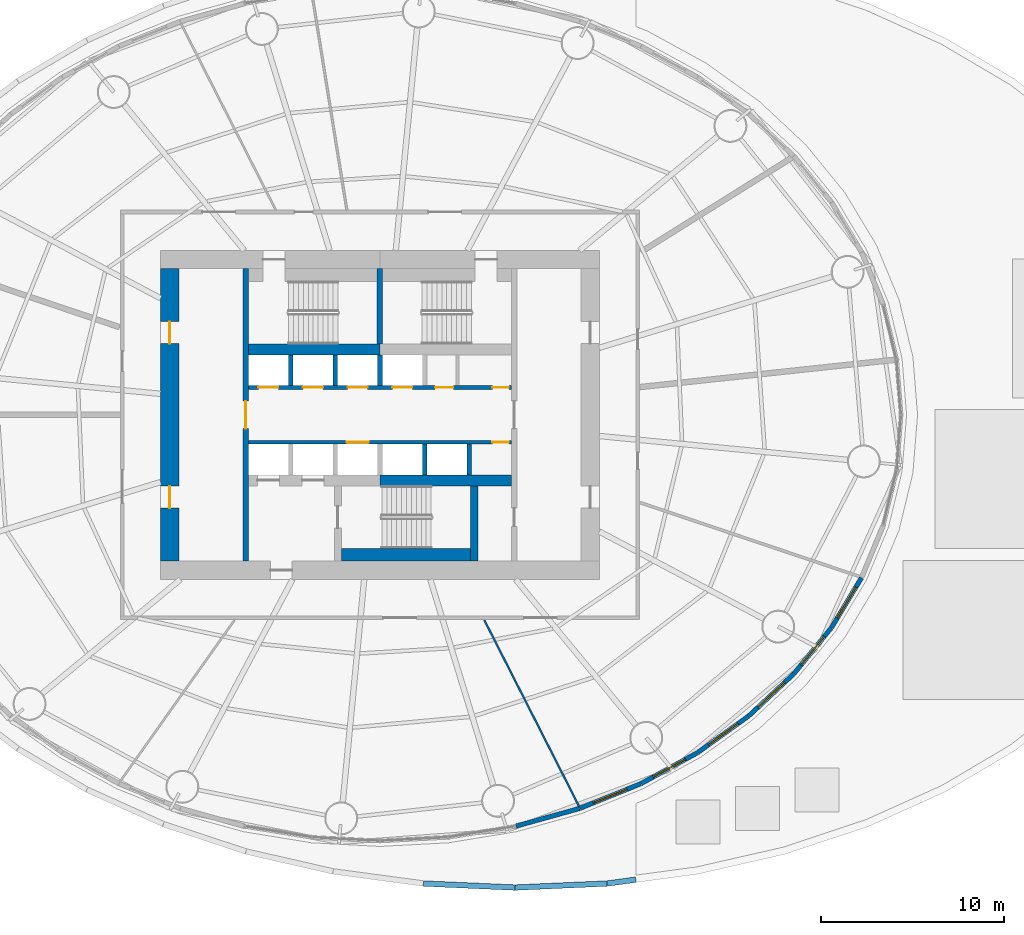
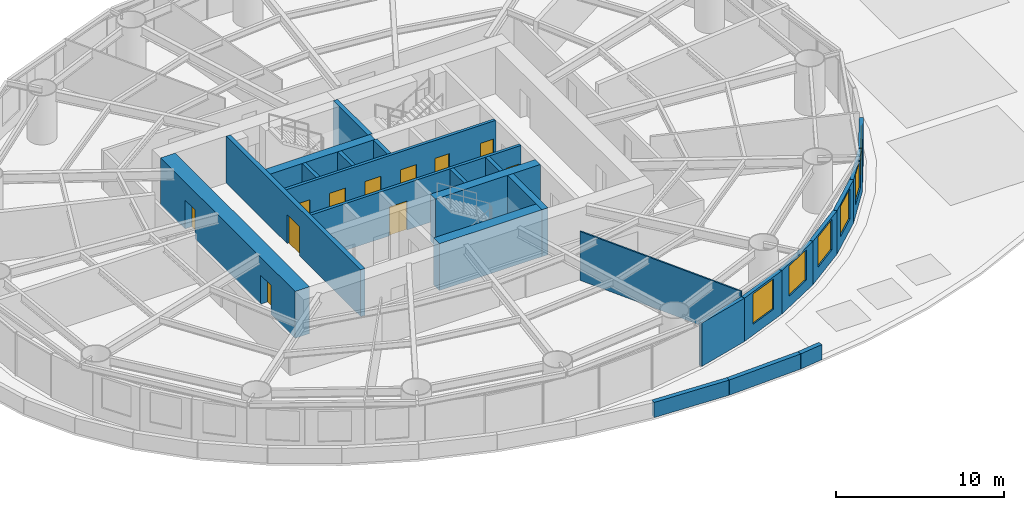
# One storey, part 8 of 11: 25 walls, 11 doors, 6 windows, 17 openings.
"""IFC4 building model written with IfcOpenShell, lengths in metres."""

from ifc_helpers import new_model, si_unit, direction, frame, frame_2d, origin, place, context, subcontext, project, spatial, rectangle, extrude, material, layer, layer_set, type_object, element, fill, save


model = new_model("IFC4")

# Units and contexts
model_context = context("Model", 3, precision=1e-05, world=origin(), true_north=direction((0.0, 1.0)))
body_context = subcontext(model_context, "Body", "Model", "MODEL_VIEW")
ifc_project = project(units=[si_unit("LENGTHUNIT", "METRE"), si_unit("AREAUNIT", "SQUARE_METRE"), si_unit("VOLUMEUNIT", "CUBIC_METRE"), si_unit("PLANEANGLEUNIT", "RADIAN"), si_unit("MASSUNIT", "GRAM", prefix="KILO")], contexts=[model_context])

# Site, building, storey
site_placement = place(None, origin())
site = spatial("IfcSite", under=ifc_project, at=site_placement, CompositionType="ELEMENT")
building_placement = place(site_placement, origin())
building = spatial("IfcBuilding", under=site, at=building_placement, Name="Vermilion Reach Broadcast Tower", CompositionType="ELEMENT")
storey_placement = place(building_placement, frame((0.0, 0.0, 36.0)))
storey = spatial("IfcBuildingStorey", under=building, at=storey_placement, Name="L05", CompositionType="ELEMENT", Elevation=36.0)

# Wall, opening, door
ifc_material_1 = material(Name="Concrete C70", Category="concrete")
ifc_layer_1 = layer(ifc_material_1, 0.300048828125)
ifc_layer_set_1 = layer_set([ifc_layer_1], Name="Core inner wall 300 mm Concrete C70")
wall_type_1 = type_object("IfcWallType", Name="Core inner wall 300 mm Concrete C70", PredefinedType="SHEAR", material=ifc_layer_set_1)
wall_1_placement = place(storey_placement, frame((-13.35009765625, 8.0, 0.0), z_axis=(0.0, 0.0, 1.0), x_axis=(0.0, -1.0, 0.0)))
wall_1 = element("IfcWall", 1, at=wall_1_placement, inside=storey, type_object=wall_type_1, Name="L05 core wall ewW", PredefinedType="SHEAR", context=body_context, shape_type="SweptSolid", body=[
    extrude(rectangle(XDim=16.0, YDim=0.300048828125, at=frame_2d((8.0, 0.0))), origin(), (0.0, 0.0, 1.0), 3.39990234375),
])
opening_1_placement = place(wall_1_placement, frame((7.25, 0.0, 0.0)))
opening_1 = element("IfcOpeningElement", 2, at=opening_1_placement, cuts=wall_1, Name="Opening D04", PredefinedType="OPENING", context=body_context, shape_type="SweptSolid", body=[
    extrude(rectangle(XDim=1.5, YDim=2.10009765625, at=frame_2d((0.75, 1.050048828125))), frame((0.0, 0.159912109375, 0.0), z_axis=(0.0, -1.0, 0.0), x_axis=(1.0, 0.0, 0.0)), (0.0, 0.0, 1.0), 0.320068359375),
])
ifc_material_2 = material(Name="Painted steel fire door", Category="steel")
door_type_1 = type_object("IfcDoorType", Name="Lift lobby door 1500 x 2100", OperationType="DOUBLE_DOOR_SINGLE_SWING", PredefinedType="NOTDEFINED", material=ifc_material_2)
door_1_placement = place(opening_1_placement, origin())
door_1 = element("IfcDoor", 3, at=door_1_placement, inside=storey, type_object=door_type_1, Name="L05 band door BW", OperationType="DOUBLE_DOOR_SINGLE_SWING", OverallHeight=2.10009765625, OverallWidth=1.5, PredefinedType="NOTDEFINED", context=body_context, shape_type="SweptSolid", body=[
    extrude(rectangle(XDim=1.5, YDim=2.10009765625, at=frame_2d((0.75, 1.050048828125))), frame((0.0, 0.02490234375, 0.0), z_axis=(0.0, -1.0, 0.0), x_axis=(1.0, 0.0, 0.0)), (0.0, 0.0, 1.0), 0.050048828125),
])
fill(opening_1, door_1)

# Walls
wall_2_placement = place(storey_placement, frame((-6.0, 3.8798828125, 0.0), z_axis=(0.0, 0.0, 1.0), x_axis=(0.0, 1.0, 0.0)))
element("IfcWall", 4, at=wall_2_placement, inside=storey, type_object=wall_type_1, Name="L05 core wall wc", PredefinedType="SHEAR", context=body_context, shape_type="SweptSolid", body=[
    extrude(rectangle(XDim=4.1201171875, YDim=0.300048828125, at=frame_2d((2.06005859375, 0.0))), origin(), (0.0, 0.0, 1.0), 3.39990234375),
])
ifc_material_3 = material(Name="Concrete C70", Category="concrete")
ifc_layer_2 = layer(ifc_material_3, 0.39990234375)
ifc_layer_set_2 = layer_set([ifc_layer_2], Name="Core inner wall 400 mm Concrete C70")
wall_type_2 = type_object("IfcWallType", Name="Core inner wall 400 mm Concrete C70", PredefinedType="SHEAR", material=ifc_layer_set_2)
wall_3_placement = place(storey_placement, frame((-0.85009765625, -3.8798828125, 0.0), z_axis=(0.0, 0.0, 1.0), x_axis=(0.0, -1.0, 0.0)))
element("IfcWall", 5, at=wall_3_placement, inside=storey, type_object=wall_type_2, Name="L05 core wall wb", PredefinedType="SHEAR", context=body_context, shape_type="SweptSolid", body=[
    extrude(rectangle(XDim=4.1201171875, YDim=0.39990234375, at=frame_2d((2.06005859375, 0.0))), origin(), (0.0, 0.0, 1.0), 3.39990234375),
])
ifc_material_4 = material(Name="Concrete C70", Category="concrete")
ifc_layer_3 = layer(ifc_material_4, 0.60009765625)
ifc_layer_set_3 = layer_set([ifc_layer_3], Name="Core inner wall 600 mm Concrete C70")
wall_type_3 = type_object("IfcWallType", Name="Core inner wall 600 mm Concrete C70", PredefinedType="SHEAR", material=ifc_layer_set_3)
for number, where, z_axis, x_axis, name in (
    (6, (-13.199951171875, 3.580078125, 0.0), (0.0, 0.0, 1.0), (1.0, 0.0, 0.0), "L05 core wall winW"),
    (7, (-6.0, -3.580078125, 0.0), (0.0, 0.0, 1.0), (1.0, 0.0, 0.0), "L05 core wall wisE"),
):
    element("IfcWall", number, at=place(storey_placement, frame(where, z_axis=z_axis, x_axis=x_axis)), inside=storey, type_object=wall_type_3, Name=name, PredefinedType="SHEAR", context=body_context, shape_type="SweptSolid", body=[
        extrude(rectangle(XDim=7.199951171875, YDim=0.60009765625, at=frame_2d((3.60009765625, 0.0))), origin(), (0.0, 0.0, 1.0), 3.39990234375),
    ])

# Wall, openings, doors
ifc_material_5 = material(Name="Concrete C70", Category="concrete")
ifc_layer_4 = layer(ifc_material_5, 1.0)
ifc_layer_set_4 = layer_set([ifc_layer_4], Name="Core outer wall 1000 mm Concrete C70")
wall_type_4 = type_object("IfcWallType", Name="Core outer wall 1000 mm Concrete C70", PredefinedType="SHEAR", material=ifc_layer_set_4)
wall_4_placement = place(storey_placement, frame((-17.5, 8.0, 0.0), z_axis=(0.0, 0.0, 1.0), x_axis=(0.0, -1.0, 0.0)))
wall_4 = element("IfcWall", 8, at=wall_4_placement, inside=storey, type_object=wall_type_4, Name="L05 core wall ow", PredefinedType="SHEAR", context=body_context, shape_type="SweptSolid", body=[
    extrude(rectangle(XDim=16.0, YDim=1.0, at=frame_2d((8.0, 0.0))), origin(), (0.0, 0.0, 1.0), 3.39990234375),
])
opening_2_placement = place(wall_4_placement, frame((11.89990234375, 0.0, 0.0)))
opening_2 = element("IfcOpeningElement", 9, at=opening_2_placement, cuts=wall_4, Name="Opening D03", PredefinedType="OPENING", context=body_context, shape_type="SweptSolid", body=[
    extrude(rectangle(XDim=1.199951171875, YDim=2.10009765625, at=frame_2d((0.60009765625, 1.050048828125))), frame((0.0, 0.510009765625, 0.0), z_axis=(0.0, -1.0, 0.0), x_axis=(1.0, 0.0, 0.0)), (0.0, 0.0, 1.0), 1.02001953125),
])
opening_3_placement = place(wall_4_placement, frame((2.89990234375, 0.0, 0.0)))
opening_3 = element("IfcOpeningElement", 10, at=opening_3_placement, cuts=wall_4, Name="Opening D03", PredefinedType="OPENING", context=body_context, shape_type="SweptSolid", body=[
    extrude(rectangle(XDim=1.199951171875, YDim=2.10009765625, at=frame_2d((0.60009765625, 1.050048828125))), frame((0.0, 0.510009765625, 0.0), z_axis=(0.0, -1.0, 0.0), x_axis=(1.0, 0.0, 0.0)), (0.0, 0.0, 1.0), 1.02001953125),
])
ifc_material_6 = material(Name="Painted steel fire door", Category="steel")
door_type_2 = type_object("IfcDoorType", Name="Core lobby door 1200 x 2100", OperationType="DOUBLE_DOOR_SINGLE_SWING", PredefinedType="NOTDEFINED", material=ifc_material_6)
door_2_placement = place(opening_2_placement, origin())
door_2 = element("IfcDoor", 11, at=door_2_placement, inside=storey, type_object=door_type_2, Name="L05 slot door W0", OperationType="DOUBLE_DOOR_SINGLE_SWING", OverallHeight=2.10009765625, OverallWidth=1.199951171875, PredefinedType="NOTDEFINED", context=body_context, shape_type="SweptSolid", body=[
    extrude(rectangle(XDim=1.199951171875, YDim=2.10009765625, at=frame_2d((0.60009765625, 1.050048828125))), frame((0.0, 0.02490234375, 0.0), z_axis=(0.0, -1.0, 0.0), x_axis=(1.0, 0.0, 0.0)), (0.0, 0.0, 1.0), 0.050048828125),
])
fill(opening_2, door_2)
door_3_placement = place(opening_3_placement, origin())
door_3 = element("IfcDoor", 12, at=door_3_placement, inside=storey, type_object=door_type_2, Name="L05 slot door W1", OperationType="DOUBLE_DOOR_SINGLE_SWING", OverallHeight=2.10009765625, OverallWidth=1.199951171875, PredefinedType="NOTDEFINED", context=body_context, shape_type="SweptSolid", body=[
    extrude(rectangle(XDim=1.199951171875, YDim=2.10009765625, at=frame_2d((0.60009765625, 1.050048828125))), frame((0.0, 0.02490234375, 0.0), z_axis=(0.0, -1.0, 0.0), x_axis=(1.0, 0.0, 0.0)), (0.0, 0.0, 1.0), 0.050048828125),
])
fill(opening_3, door_3)

ifc_material_7 = material(Name="Concrete C50", Category="concrete")
ifc_layer_5 = layer(ifc_material_7, 0.199951171875)
ifc_layer_set_5 = layer_set([ifc_layer_5], Name="Core shaft wall 200 mm Concrete C50")
wall_type_5 = type_object("IfcWallType", Name="Core shaft wall 200 mm Concrete C50", PredefinedType="SHEAR", material=ifc_layer_set_5)
wall_5_placement = place(storey_placement, frame((-13.199951171875, 1.5, 0.0), z_axis=(0.0, 0.0, 1.0), x_axis=(1.0, 0.0, 0.0)))
wall_5 = element("IfcWall", 13, at=wall_5_placement, inside=storey, type_object=wall_type_5, Name="L05 core wall fn", PredefinedType="SHEAR", context=body_context, shape_type="SweptSolid", body=[
    extrude(rectangle(XDim=14.39990234375, YDim=0.199951171875, at=frame_2d((7.199951171875, 0.0))), origin(), (0.0, 0.0, 1.0), 3.39990234375),
])
opening_4_placement = place(wall_5_placement, frame((0.5458984375, 0.0, 0.0)))
opening_4 = element("IfcOpeningElement", 14, at=opening_4_placement, cuts=wall_5, Name="Opening LD2", PredefinedType="OPENING", context=body_context, shape_type="SweptSolid", body=[
    extrude(rectangle(XDim=1.10009765625, YDim=2.10009765625, at=frame_2d((0.550048828125, 1.050048828125))), frame((0.0, 0.10986328125, 0.0), z_axis=(0.0, -1.0, 0.0), x_axis=(1.0, 0.0, 0.0)), (0.0, 0.0, 1.0), 0.219970703125),
])
opening_5_placement = place(wall_5_placement, frame((2.987548828125, 0.0, 0.0)))
opening_5 = element("IfcOpeningElement", 15, at=opening_5_placement, cuts=wall_5, Name="Opening LD2", PredefinedType="OPENING", context=body_context, shape_type="SweptSolid", body=[
    extrude(rectangle(XDim=1.10009765625, YDim=2.10009765625, at=frame_2d((0.550048828125, 1.050048828125))), frame((0.0, 0.10986328125, 0.0), z_axis=(0.0, -1.0, 0.0), x_axis=(1.0, 0.0, 0.0)), (0.0, 0.0, 1.0), 0.219970703125),
])
opening_6_placement = place(wall_5_placement, frame((5.42919921875, 0.0, 0.0)))
opening_6 = element("IfcOpeningElement", 16, at=opening_6_placement, cuts=wall_5, Name="Opening LD2", PredefinedType="OPENING", context=body_context, shape_type="SweptSolid", body=[
    extrude(rectangle(XDim=1.10009765625, YDim=2.10009765625, at=frame_2d((0.550048828125, 1.050048828125))), frame((0.0, 0.10986328125, 0.0), z_axis=(0.0, -1.0, 0.0), x_axis=(1.0, 0.0, 0.0)), (0.0, 0.0, 1.0), 0.219970703125),
])
opening_7_placement = place(wall_5_placement, frame((7.870849609375, 0.0, 0.0)))
opening_7 = element("IfcOpeningElement", 17, at=opening_7_placement, cuts=wall_5, Name="Opening LD2", PredefinedType="OPENING", context=body_context, shape_type="SweptSolid", body=[
    extrude(rectangle(XDim=1.10009765625, YDim=2.10009765625, at=frame_2d((0.550048828125, 1.050048828125))), frame((0.0, 0.10986328125, 0.0), z_axis=(0.0, -1.0, 0.0), x_axis=(1.0, 0.0, 0.0)), (0.0, 0.0, 1.0), 0.219970703125),
])
opening_8_placement = place(wall_5_placement, frame((10.209716796875, 0.0, 0.0)))
opening_8 = element("IfcOpeningElement", 18, at=opening_8_placement, cuts=wall_5, Name="Opening D07", PredefinedType="OPENING", context=body_context, shape_type="SweptSolid", body=[
    extrude(rectangle(XDim=1.0, YDim=2.10009765625, at=frame_2d((0.5, 1.050048828125))), frame((0.0, 0.10986328125, 0.0), z_axis=(0.0, -1.0, 0.0), x_axis=(1.0, 0.0, 0.0)), (0.0, 0.0, 1.0), 0.219970703125),
])
opening_9_placement = place(wall_5_placement, frame((13.35009765625, 0.0, 0.0)))
opening_9 = element("IfcOpeningElement", 19, at=opening_9_placement, cuts=wall_5, Name="Opening D06", PredefinedType="OPENING", context=body_context, shape_type="SweptSolid", body=[
    extrude(rectangle(XDim=0.89990234375, YDim=2.10009765625, at=frame_2d((0.449951171875, 1.050048828125))), frame((0.0, 0.10986328125, 0.0), z_axis=(0.0, -1.0, 0.0), x_axis=(1.0, 0.0, 0.0)), (0.0, 0.0, 1.0), 0.219970703125),
])
ifc_material_8 = material(Name="Timber door", Category="wood")
door_type_3 = type_object("IfcDoorType", Name="Accessible WC door 1000 x 2100", OperationType="NOTDEFINED", PredefinedType="NOTDEFINED", material=ifc_material_8)
door_4_placement = place(opening_8_placement, origin())
door_4 = element("IfcDoor", 20, at=door_4_placement, inside=storey, type_object=door_type_3, Name="L05 door Accessible WC", OperationType="SINGLE_SWING_RIGHT", OverallHeight=2.10009765625, OverallWidth=1.0, PredefinedType="NOTDEFINED", context=body_context, shape_type="SweptSolid", body=[
    extrude(rectangle(XDim=1.0, YDim=2.10009765625, at=frame_2d((0.5, 1.050048828125))), frame((0.0, 0.02490234375, 0.0), z_axis=(0.0, -1.0, 0.0), x_axis=(1.0, 0.0, 0.0)), (0.0, 0.0, 1.0), 0.050048828125),
])
fill(opening_8, door_4)
ifc_material_9 = material(Name="Stainless steel", Category="steel")
door_type_4 = type_object("IfcDoorType", Name="Landing door 1100 x 2100", OperationType="DOUBLE_DOOR_SLIDING", PredefinedType="NOTDEFINED", material=ifc_material_9)
door_5_placement = place(opening_4_placement, origin())
door_5 = element("IfcDoor", 21, at=door_5_placement, inside=storey, type_object=door_type_4, Name="L05 landing door LR1", OperationType="DOUBLE_DOOR_SLIDING", OverallHeight=2.10009765625, OverallWidth=1.10009765625, PredefinedType="NOTDEFINED", context=body_context, shape_type="SweptSolid", body=[
    extrude(rectangle(XDim=1.10009765625, YDim=2.10009765625, at=frame_2d((0.550048828125, 1.050048828125))), frame((0.0, 0.02490234375, 0.0), z_axis=(0.0, -1.0, 0.0), x_axis=(1.0, 0.0, 0.0)), (0.0, 0.0, 1.0), 0.050048828125),
])
fill(opening_4, door_5)
door_6_placement = place(opening_5_placement, origin())
door_6 = element("IfcDoor", 22, at=door_6_placement, inside=storey, type_object=door_type_4, Name="L05 landing door LR2", OperationType="DOUBLE_DOOR_SLIDING", OverallHeight=2.10009765625, OverallWidth=1.10009765625, PredefinedType="NOTDEFINED", context=body_context, shape_type="SweptSolid", body=[
    extrude(rectangle(XDim=1.10009765625, YDim=2.10009765625, at=frame_2d((0.550048828125, 1.050048828125))), frame((0.0, 0.02490234375, 0.0), z_axis=(0.0, -1.0, 0.0), x_axis=(1.0, 0.0, 0.0)), (0.0, 0.0, 1.0), 0.050048828125),
])
fill(opening_5, door_6)
door_7_placement = place(opening_6_placement, origin())
door_7 = element("IfcDoor", 23, at=door_7_placement, inside=storey, type_object=door_type_4, Name="L05 landing door LR3", OperationType="DOUBLE_DOOR_SLIDING", OverallHeight=2.10009765625, OverallWidth=1.10009765625, PredefinedType="NOTDEFINED", context=body_context, shape_type="SweptSolid", body=[
    extrude(rectangle(XDim=1.10009765625, YDim=2.10009765625, at=frame_2d((0.550048828125, 1.050048828125))), frame((0.0, 0.02490234375, 0.0), z_axis=(0.0, -1.0, 0.0), x_axis=(1.0, 0.0, 0.0)), (0.0, 0.0, 1.0), 0.050048828125),
])
fill(opening_6, door_7)
door_8_placement = place(opening_7_placement, origin())
door_8 = element("IfcDoor", 24, at=door_8_placement, inside=storey, type_object=door_type_4, Name="L05 landing door LR4", OperationType="DOUBLE_DOOR_SLIDING", OverallHeight=2.10009765625, OverallWidth=1.10009765625, PredefinedType="NOTDEFINED", context=body_context, shape_type="SweptSolid", body=[
    extrude(rectangle(XDim=1.10009765625, YDim=2.10009765625, at=frame_2d((0.550048828125, 1.050048828125))), frame((0.0, 0.02490234375, 0.0), z_axis=(0.0, -1.0, 0.0), x_axis=(1.0, 0.0, 0.0)), (0.0, 0.0, 1.0), 0.050048828125),
])
fill(opening_7, door_8)
ifc_material_10 = material(Name="Timber door", Category="wood")
door_type_5 = type_object("IfcDoorType", Name="WC door 900 x 2100", OperationType="NOTDEFINED", PredefinedType="NOTDEFINED", material=ifc_material_10)
door_9_placement = place(opening_9_placement, origin())
door_9 = element("IfcDoor", 25, at=door_9_placement, inside=storey, type_object=door_type_5, Name="L05 door Female WC", OperationType="SINGLE_SWING_RIGHT", OverallHeight=2.10009765625, OverallWidth=0.89990234375, PredefinedType="NOTDEFINED", context=body_context, shape_type="SweptSolid", body=[
    extrude(rectangle(XDim=0.89990234375, YDim=2.10009765625, at=frame_2d((0.449951171875, 1.050048828125))), frame((0.0, 0.02490234375, 0.0), z_axis=(0.0, -1.0, 0.0), x_axis=(1.0, 0.0, 0.0)), (0.0, 0.0, 1.0), 0.050048828125),
])
fill(opening_9, door_9)

wall_6_placement = place(storey_placement, frame((1.199951171875, -1.5, 0.0), z_axis=(0.0, 0.0, 1.0), x_axis=(-1.0, 0.0, 0.0)))
wall_6 = element("IfcWall", 26, at=wall_6_placement, inside=storey, type_object=wall_type_5, Name="L05 core wall fs", PredefinedType="SHEAR", context=body_context, shape_type="SweptSolid", body=[
    extrude(rectangle(XDim=14.39990234375, YDim=0.199951171875, at=frame_2d((7.199951171875, 0.0))), origin(), (0.0, 0.0, 1.0), 3.39990234375),
])
opening_10_placement = place(wall_6_placement, frame((7.82080078125, 0.0, 0.0)))
opening_10 = element("IfcOpeningElement", 27, at=opening_10_placement, cuts=wall_6, Name="Opening LD1", PredefinedType="OPENING", context=body_context, shape_type="SweptSolid", body=[
    extrude(rectangle(XDim=1.199951171875, YDim=2.10009765625, at=frame_2d((0.60009765625, 1.050048828125))), frame((0.0, 0.10986328125, 0.0), z_axis=(0.0, -1.0, 0.0), x_axis=(1.0, 0.0, 0.0)), (0.0, 0.0, 1.0), 0.219970703125),
])
opening_11_placement = place(wall_6_placement, frame((0.14990234375, 0.0, 0.0)))
opening_11 = element("IfcOpeningElement", 28, at=opening_11_placement, cuts=wall_6, Name="Opening D06", PredefinedType="OPENING", context=body_context, shape_type="SweptSolid", body=[
    extrude(rectangle(XDim=0.89990234375, YDim=2.10009765625, at=frame_2d((0.449951171875, 1.050048828125))), frame((0.0, 0.10986328125, 0.0), z_axis=(0.0, -1.0, 0.0), x_axis=(1.0, 0.0, 0.0)), (0.0, 0.0, 1.0), 0.219970703125),
])
ifc_material_11 = material(Name="Stainless steel", Category="steel")
door_type_6 = type_object("IfcDoorType", Name="Landing door 1200 x 2100", OperationType="DOUBLE_DOOR_SLIDING", PredefinedType="NOTDEFINED", material=ifc_material_11)
door_10_placement = place(opening_10_placement, origin())
door_10 = element("IfcDoor", 29, at=door_10_placement, inside=storey, type_object=door_type_6, Name="L05 landing door SV1", OperationType="DOUBLE_DOOR_SLIDING", OverallHeight=2.10009765625, OverallWidth=1.199951171875, PredefinedType="NOTDEFINED", context=body_context, shape_type="SweptSolid", body=[
    extrude(rectangle(XDim=1.199951171875, YDim=2.10009765625, at=frame_2d((0.60009765625, 1.050048828125))), frame((0.0, 0.02490234375, 0.0), z_axis=(0.0, -1.0, 0.0), x_axis=(1.0, 0.0, 0.0)), (0.0, 0.0, 1.0), 0.050048828125),
])
fill(opening_10, door_10)
door_11_placement = place(opening_11_placement, origin())
door_11 = element("IfcDoor", 30, at=door_11_placement, inside=storey, type_object=door_type_5, Name="L05 door Male WC", OperationType="SINGLE_SWING_LEFT", OverallHeight=2.10009765625, OverallWidth=0.89990234375, PredefinedType="NOTDEFINED", context=body_context, shape_type="SweptSolid", body=[
    extrude(rectangle(XDim=0.89990234375, YDim=2.10009765625, at=frame_2d((0.449951171875, 1.050048828125))), frame((0.0, 0.02490234375, 0.0), z_axis=(0.0, -1.0, 0.0), x_axis=(1.0, 0.0, 0.0)), (0.0, 0.0, 1.0), 0.050048828125),
])
fill(opening_11, door_11)

# Walls
ifc_material_12 = material(Name="Concrete C50", Category="concrete")
ifc_layer_6 = layer(ifc_material_12, 0.25)
ifc_layer_set_6 = layer_set([ifc_layer_6], Name="Core shaft wall 250 mm Concrete C50")
wall_type_6 = type_object("IfcWallType", Name="Core shaft wall 250 mm Concrete C50", PredefinedType="SHEAR", material=ifc_layer_set_6)
for number, where, z_axis, x_axis, name in (
    (31, (-10.88330078125, 1.60009765625, 0.0), (0.0, 0.0, 1.0), (0.0, 1.0, 0.0), "L05 core wall psN0"),
    (32, (-8.441650390625, 1.60009765625, 0.0), (0.0, 0.0, 1.0), (0.0, 1.0, 0.0), "L05 core wall psN1"),
    (33, (-6.0, 1.60009765625, 0.0), (0.0, 0.0, 1.0), (0.0, 1.0, 0.0), "L05 core wall psN2"),
    (34, (-3.558349609375, -1.60009765625, 0.0), (0.0, 0.0, 1.0), (0.0, -1.0, 0.0), "L05 core wall psS3"),
    (35, (-1.11669921875, -1.60009765625, 0.0), (0.0, 0.0, 1.0), (0.0, -1.0, 0.0), "L05 core wall psS4"),
):
    element("IfcWall", number, at=place(storey_placement, frame(where, z_axis=z_axis, x_axis=x_axis)), inside=storey, type_object=wall_type_6, Name=name, PredefinedType="SHEAR", context=body_context, shape_type="SweptSolid", body=[
        extrude(rectangle(XDim=1.679931640625, YDim=0.25, at=frame_2d((0.83984375, 0.0))), origin(), (0.0, 0.0, 1.0), 3.39990234375),
    ])
ifc_material_13 = material(Name="Concrete C70", Category="concrete")
ifc_layer_7 = layer(ifc_material_13, 0.699951171875)
ifc_layer_set_7 = layer_set([ifc_layer_7], Name="Core stair wall 700 mm Concrete C70")
wall_type_7 = type_object("IfcWallType", Name="Core stair wall 700 mm Concrete C70", PredefinedType="SHEAR", material=ifc_layer_set_7)
wall_7_placement = place(storey_placement, frame((-8.10009765625, -7.64990234375, 0.0), z_axis=(0.0, 0.0, 1.0), x_axis=(1.0, 0.0, 0.0)))
element("IfcWall", 36, at=wall_7_placement, inside=storey, type_object=wall_type_7, Name="L05 core wall l3", PredefinedType="SHEAR", context=body_context, shape_type="SweptSolid", body=[
    extrude(rectangle(XDim=7.050048828125, YDim=0.699951171875, at=frame_2d((3.52490234375, 0.0))), origin(), (0.0, 0.0, 1.0), 3.39990234375),
])
ifc_material_14 = material(Name="Plasterboard on steel stud", Category="steel")
ifc_layer_8 = layer(ifc_material_14, 0.10009765625)
ifc_layer_set_8 = layer_set([ifc_layer_8], Name="Partition 100 steel stud")
wall_type_8 = type_object("IfcWallType", Name="Partition 100 steel stud", PredefinedType="PARTITIONING", material=ifc_layer_set_8)
wall_8_placement = place(storey_placement, frame((4.884765625, -21.401123046875, 0.0), z_axis=(0.0, 0.0, 1.0), x_axis=(-0.453334779339, 0.89134032661, 0.0)))
element("IfcWall", 37, at=wall_8_placement, inside=storey, type_object=wall_type_8, Name="Partition 5.08", PredefinedType="PARTITIONING", context=body_context, shape_type="SweptSolid", body=[
    extrude(rectangle(XDim=11.419189453125, YDim=0.10009765625, at=frame_2d((5.70947265625, 0.0))), origin(), (0.0, 0.0, 1.0), 3.550048828125),
])
ifc_material_15 = material(Name="Precast concrete C40/50", Category="concrete")
ifc_layer_9 = layer(ifc_material_15, 0.300048828125)
ifc_layer_set_9 = layer_set([ifc_layer_9], Name="Podium parapet 300")
wall_type_9 = type_object("IfcWallType", Name="Podium parapet 300", PredefinedType="PARAPET", material=ifc_layer_set_9)
for number, where, z_axis, x_axis, name in (
    (38, (-3.61865234375, -25.628662109375, 0.0), (0.0, 0.0, 1.0), (0.999027667676, -0.044087631121, 0.0), "Podium parapet 26"),
    (39, (1.406494140625, -25.849853515625, 0.0), (0.0, 0.0, 1.0), (0.999027667676, 0.044087631121, 0.0), "Podium parapet 27"),
):
    element("IfcWall", number, at=place(storey_placement, frame(where, z_axis=z_axis, x_axis=x_axis)), inside=storey, type_object=wall_type_9, Name=name, PredefinedType="PARAPET", context=body_context, shape_type="SweptSolid", body=[
        extrude(rectangle(XDim=5.01708984375, YDim=0.300048828125, at=frame_2d((2.508544921875, 0.0))), origin(), (0.0, 0.0, 1.0), 1.10009765625),
    ])
wall_9_placement = place(storey_placement, frame((6.431640625, -25.62744140625, 0.0), z_axis=(0.0, 0.0, 1.0), x_axis=(0.991147894546, 0.132762386, 0.0)))
element("IfcWall", 40, at=wall_9_placement, inside=storey, type_object=wall_type_9, Name="Podium parapet 28", PredefinedType="PARAPET", context=body_context, shape_type="SweptSolid", body=[
    extrude(rectangle(XDim=1.575927734375, YDim=0.300048828125, at=frame_2d((0.7880859375, 0.0))), origin(), (0.0, 0.0, 1.0), 1.10009765625),
])
ifc_material_16 = material(Name="Terracotta rainscreen cladding", Category="masonry")
ifc_layer_10 = layer(ifc_material_16, 0.25)
ifc_layer_set_10 = layer_set([ifc_layer_10], Name="Terracotta rainscreen wall 250")
wall_type_10 = type_object("IfcWallType", Name="Terracotta rainscreen wall 250", PredefinedType="SOLIDWALL", material=ifc_layer_set_10)
wall_10_placement = place(storey_placement, frame((1.442626953125, -22.488037109375, 0.0), z_axis=(0.0, 0.0, 1.0), x_axis=(0.963430499259, 0.267958342093, 0.0)))
element("IfcWall", 41, at=wall_10_placement, inside=storey, type_object=wall_type_10, Name="External wall L05 38", PredefinedType="SOLIDWALL", context=body_context, shape_type="SweptSolid", body=[
    extrude(rectangle(XDim=3.603515625, YDim=0.25, at=frame_2d((1.8017578125, 0.0))), origin(), (0.0, 0.0, 1.0), 3.14990234375),
])

# Wall, opening, window
wall_11_placement = place(storey_placement, frame((4.93505859375, -21.515380859375, 0.0), z_axis=(0.0, 0.0, 1.0), x_axis=(0.927147291409, 0.374697077694, 0.0)))
wall_11 = element("IfcWall", 42, at=wall_11_placement, inside=storey, type_object=wall_type_10, Name="External wall L05 39", PredefinedType="SOLIDWALL", context=body_context, shape_type="SweptSolid", body=[
    extrude(rectangle(XDim=3.587646484375, YDim=0.25, at=frame_2d((1.7939453125, 0.0))), origin(), (0.0, 0.0, 1.0), 3.14990234375),
])
opening_12_placement = place(wall_11_placement, frame((0.793701171875, 0.0, 0.800048828125)))
opening_12 = element("IfcOpeningElement", 43, at=opening_12_placement, cuts=wall_11, Name="Opening W01", PredefinedType="OPENING", context=body_context, shape_type="SweptSolid", body=[
    extrude(rectangle(XDim=2.0, YDim=2.199951171875, at=frame_2d((1.0, 1.10009765625))), frame((0.0, 0.135009765625, 0.0), z_axis=(0.0, -1.0, 0.0), x_axis=(1.0, 0.0, 0.0)), (0.0, 0.0, 1.0), 0.27001953125),
])
ifc_material_17 = material(Name="Low-e laminated clear glass in aluminium frame", Category="aluminium")
window_type = type_object("IfcWindowType", Name="Punched window 2000 x 2200 sill 800", PartitioningType="SINGLE_PANEL", PredefinedType="WINDOW", material=ifc_material_17)
window_1_placement = place(opening_12_placement, origin())
window_1 = element("IfcWindow", 44, at=window_1_placement, inside=storey, type_object=window_type, Name="Window L05 39", OverallHeight=2.199951171875, OverallWidth=2.0, PartitioningType="SINGLE_PANEL", PredefinedType="WINDOW", context=body_context, shape_type="SweptSolid", body=[
    extrude(rectangle(XDim=2.0, YDim=2.199951171875, at=frame_2d((1.0, 1.10009765625))), frame((0.0, 0.030029296875, 0.0), z_axis=(0.0, -1.0, 0.0), x_axis=(1.0, 0.0, 0.0)), (0.0, 0.0, 1.0), 0.06005859375),
])
fill(opening_12, window_1)

wall_12_placement = place(storey_placement, frame((8.28173828125, -20.16162109375, 0.0), z_axis=(0.0, 0.0, 1.0), x_axis=(0.8771213679, 0.480268785134, 0.0)))
wall_12 = element("IfcWall", 45, at=wall_12_placement, inside=storey, type_object=wall_type_10, Name="External wall L05 40", PredefinedType="SOLIDWALL", context=body_context, shape_type="SweptSolid", body=[
    extrude(rectangle(XDim=3.51220703125, YDim=0.25, at=frame_2d((1.756103515625, 0.0))), origin(), (0.0, 0.0, 1.0), 3.14990234375),
])
opening_13_placement = place(wall_12_placement, frame((0.756103515625, 0.0, 0.800048828125)))
opening_13 = element("IfcOpeningElement", 46, at=opening_13_placement, cuts=wall_12, Name="Opening W01", PredefinedType="OPENING", context=body_context, shape_type="SweptSolid", body=[
    extrude(rectangle(XDim=2.0, YDim=2.199951171875, at=frame_2d((1.0, 1.10009765625))), frame((0.0, 0.135009765625, 0.0), z_axis=(0.0, -1.0, 0.0), x_axis=(1.0, 0.0, 0.0)), (0.0, 0.0, 1.0), 0.27001953125),
])
window_2_placement = place(opening_13_placement, origin())
window_2 = element("IfcWindow", 47, at=window_2_placement, inside=storey, type_object=window_type, Name="Window L05 40", OverallHeight=2.199951171875, OverallWidth=2.0, PartitioningType="SINGLE_PANEL", PredefinedType="WINDOW", context=body_context, shape_type="SweptSolid", body=[
    extrude(rectangle(XDim=2.0, YDim=2.199951171875, at=frame_2d((1.0, 1.10009765625))), frame((0.0, 0.030029296875, 0.0), z_axis=(0.0, -1.0, 0.0), x_axis=(1.0, 0.0, 0.0)), (0.0, 0.0, 1.0), 0.06005859375),
])
fill(opening_13, window_2)

wall_13_placement = place(storey_placement, frame((11.382080078125, -18.46240234375, 0.0), z_axis=(0.0, 0.0, 1.0), x_axis=(0.812059685452, 0.5835743888, 0.0)))
wall_13 = element("IfcWall", 48, at=wall_13_placement, inside=storey, type_object=wall_type_10, Name="External wall L05 41", PredefinedType="SOLIDWALL", context=body_context, shape_type="SweptSolid", body=[
    extrude(rectangle(XDim=3.4267578125, YDim=0.25, at=frame_2d((1.71337890625, 0.0))), origin(), (0.0, 0.0, 1.0), 3.14990234375),
])
opening_14_placement = place(wall_13_placement, frame((0.71337890625, 0.0, 0.800048828125)))
opening_14 = element("IfcOpeningElement", 49, at=opening_14_placement, cuts=wall_13, Name="Opening W01", PredefinedType="OPENING", context=body_context, shape_type="SweptSolid", body=[
    extrude(rectangle(XDim=2.0, YDim=2.199951171875, at=frame_2d((1.0, 1.10009765625))), frame((0.0, 0.135009765625, 0.0), z_axis=(0.0, -1.0, 0.0), x_axis=(1.0, 0.0, 0.0)), (0.0, 0.0, 1.0), 0.27001953125),
])
window_3_placement = place(opening_14_placement, origin())
window_3 = element("IfcWindow", 50, at=window_3_placement, inside=storey, type_object=window_type, Name="Window L05 41", OverallHeight=2.199951171875, OverallWidth=2.0, PartitioningType="SINGLE_PANEL", PredefinedType="WINDOW", context=body_context, shape_type="SweptSolid", body=[
    extrude(rectangle(XDim=2.0, YDim=2.199951171875, at=frame_2d((1.0, 1.10009765625))), frame((0.0, 0.030029296875, 0.0), z_axis=(0.0, -1.0, 0.0), x_axis=(1.0, 0.0, 0.0)), (0.0, 0.0, 1.0), 0.06005859375),
])
fill(opening_14, window_3)

wall_14_placement = place(storey_placement, frame((14.183349609375, -16.447509765625, 0.0), z_axis=(0.0, 0.0, 1.0), x_axis=(0.730670592597, 0.682730170063, 0.0)))
wall_14 = element("IfcWall", 51, at=wall_14_placement, inside=storey, type_object=wall_type_10, Name="External wall L05 42", PredefinedType="SOLIDWALL", context=body_context, shape_type="SweptSolid", body=[
    extrude(rectangle(XDim=3.335693359375, YDim=0.25, at=frame_2d((1.66796875, 0.0))), origin(), (0.0, 0.0, 1.0), 3.14990234375),
])
opening_15_placement = place(wall_14_placement, frame((0.667724609375, 0.0, 0.800048828125)))
opening_15 = element("IfcOpeningElement", 52, at=opening_15_placement, cuts=wall_14, Name="Opening W01", PredefinedType="OPENING", context=body_context, shape_type="SweptSolid", body=[
    extrude(rectangle(XDim=2.0, YDim=2.199951171875, at=frame_2d((1.0, 1.10009765625))), frame((0.0, 0.135009765625, 0.0), z_axis=(0.0, -1.0, 0.0), x_axis=(1.0, 0.0, 0.0)), (0.0, 0.0, 1.0), 0.27001953125),
])
window_4_placement = place(opening_15_placement, origin())
window_4 = element("IfcWindow", 53, at=window_4_placement, inside=storey, type_object=window_type, Name="Window L05 42", OverallHeight=2.199951171875, OverallWidth=2.0, PartitioningType="SINGLE_PANEL", PredefinedType="WINDOW", context=body_context, shape_type="SweptSolid", body=[
    extrude(rectangle(XDim=2.0, YDim=2.199951171875, at=frame_2d((1.0, 1.10009765625))), frame((0.0, 0.030029296875, 0.0), z_axis=(0.0, -1.0, 0.0), x_axis=(1.0, 0.0, 0.0)), (0.0, 0.0, 1.0), 0.06005859375),
])
fill(opening_15, window_4)

wall_15_placement = place(storey_placement, frame((16.637451171875, -14.152099609375, 0.0), z_axis=(0.0, 0.0, 1.0), x_axis=(0.631970989947, 0.774992043743, 0.0)))
wall_15 = element("IfcWall", 54, at=wall_15_placement, inside=storey, type_object=wall_type_10, Name="External wall L05 43", PredefinedType="SOLIDWALL", context=body_context, shape_type="SweptSolid", body=[
    extrude(rectangle(XDim=3.2451171875, YDim=0.25, at=frame_2d((1.62255859375, 0.0))), origin(), (0.0, 0.0, 1.0), 3.14990234375),
])
opening_16_placement = place(wall_15_placement, frame((0.62255859375, 0.0, 0.800048828125)))
opening_16 = element("IfcOpeningElement", 55, at=opening_16_placement, cuts=wall_15, Name="Opening W01", PredefinedType="OPENING", context=body_context, shape_type="SweptSolid", body=[
    extrude(rectangle(XDim=2.0, YDim=2.199951171875, at=frame_2d((1.0, 1.10009765625))), frame((0.0, 0.135009765625, 0.0), z_axis=(0.0, -1.0, 0.0), x_axis=(1.0, 0.0, 0.0)), (0.0, 0.0, 1.0), 0.27001953125),
])
window_5_placement = place(opening_16_placement, origin())
window_5 = element("IfcWindow", 56, at=window_5_placement, inside=storey, type_object=window_type, Name="Window L05 43", OverallHeight=2.199951171875, OverallWidth=2.0, PartitioningType="SINGLE_PANEL", PredefinedType="WINDOW", context=body_context, shape_type="SweptSolid", body=[
    extrude(rectangle(XDim=2.0, YDim=2.199951171875, at=frame_2d((1.0, 1.10009765625))), frame((0.0, 0.030029296875, 0.0), z_axis=(0.0, -1.0, 0.0), x_axis=(1.0, 0.0, 0.0)), (0.0, 0.0, 1.0), 0.06005859375),
])
fill(opening_16, window_5)

wall_16_placement = place(storey_placement, frame((18.702880859375, -11.6162109375, 0.0), z_axis=(0.0, 0.0, 1.0), x_axis=(0.51563096518, 0.856810777096, 0.0)))
wall_16 = element("IfcWall", 57, at=wall_16_placement, inside=storey, type_object=wall_type_10, Name="External wall L05 44", PredefinedType="SOLIDWALL", context=body_context, shape_type="SweptSolid", body=[
    extrude(rectangle(XDim=3.161376953125, YDim=0.25, at=frame_2d((1.58056640625, 0.0))), origin(), (0.0, 0.0, 1.0), 3.14990234375),
])
opening_17_placement = place(wall_16_placement, frame((0.580810546875, 0.0, 0.800048828125)))
opening_17 = element("IfcOpeningElement", 58, at=opening_17_placement, cuts=wall_16, Name="Opening W01", PredefinedType="OPENING", context=body_context, shape_type="SweptSolid", body=[
    extrude(rectangle(XDim=2.0, YDim=2.199951171875, at=frame_2d((1.0, 1.10009765625))), frame((0.0, 0.135009765625, 0.0), z_axis=(0.0, -1.0, 0.0), x_axis=(1.0, 0.0, 0.0)), (0.0, 0.0, 1.0), 0.27001953125),
])
window_6_placement = place(opening_17_placement, origin())
window_6 = element("IfcWindow", 59, at=window_6_placement, inside=storey, type_object=window_type, Name="Window L05 44", OverallHeight=2.199951171875, OverallWidth=2.0, PartitioningType="SINGLE_PANEL", PredefinedType="WINDOW", context=body_context, shape_type="SweptSolid", body=[
    extrude(rectangle(XDim=2.0, YDim=2.199951171875, at=frame_2d((1.0, 1.10009765625))), frame((0.0, 0.030029296875, 0.0), z_axis=(0.0, -1.0, 0.0), x_axis=(1.0, 0.0, 0.0)), (0.0, 0.0, 1.0), 0.06005859375),
])
fill(opening_17, window_6)

save(model, "model.ifc")
